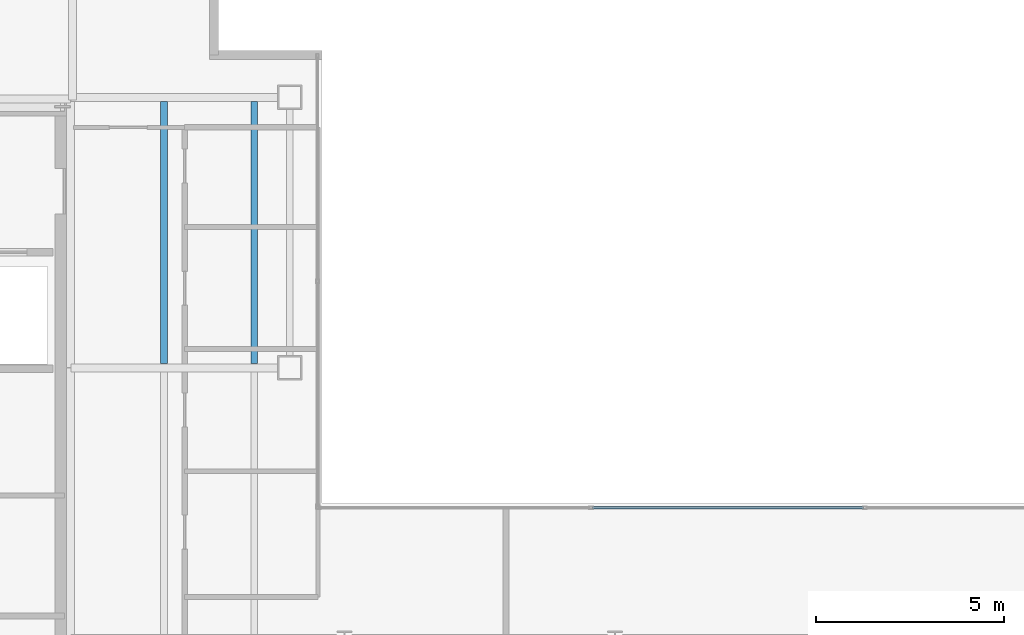
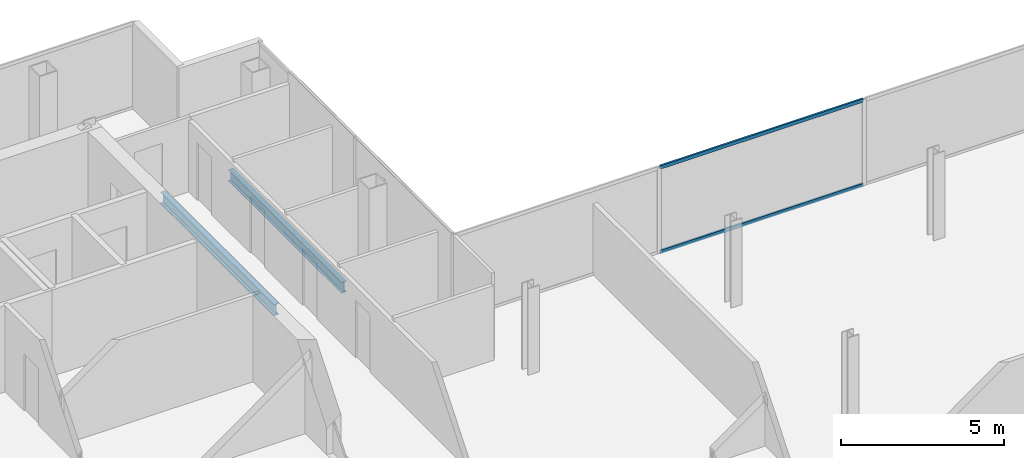
# One storey, part 10 of 24: 2 beams, 2 members, 1 element without a shape of its own.
"""IFC4 building model written with IfcOpenShell, lengths in metres."""

from ifc_helpers import new_model, si_unit, direction, frame, origin, origin_2d, place, context, subcontext, project, spatial, hollow_rectangle, i_section, extrude, material, material_profile, profile_set, type_object, element, aggregate, save


model = new_model("IFC4")

# Units and contexts
model_context = context("Model", 3, precision=1e-05, world=origin(), true_north=direction((0.0, 1.0)))
body_context = subcontext(model_context, "Body", "Model", "MODEL_VIEW")
ifc_project = project(units=[si_unit("LENGTHUNIT", "METRE"), si_unit("AREAUNIT", "SQUARE_METRE"), si_unit("VOLUMEUNIT", "CUBIC_METRE"), si_unit("PLANEANGLEUNIT", "RADIAN"), si_unit("MASSUNIT", "GRAM", prefix="KILO")], contexts=[model_context])

# Site, building, storey
site_placement = place(None, origin())
site = spatial("IfcSite", under=ifc_project, at=site_placement, CompositionType="ELEMENT")
building_placement = place(site_placement, origin())
building = spatial("IfcBuilding", under=site, at=building_placement, Name="Cobrela Telecom Tower", CompositionType="ELEMENT")
storey_placement = place(building_placement, frame((0.0, 0.0, 244.64990234375)))
storey = spatial("IfcBuildingStorey", under=building, at=storey_placement, Name="L63", CompositionType="ELEMENT", Elevation=244.64990234375)

# Beams
ifc_material_1 = material(Name="Steel ASTM A992 Grade 50", Category="steel")
ifc_material_profile_1 = material_profile(ifc_material_1, i_section(OverallWidth=0.179931640625, OverallDepth=0.4169921875, WebThickness=0.010986328125, FlangeThickness=0.01806640625, FilletRadius=0.011962890625, at=origin_2d()), Name="W16X57")
ifc_profile_set_1 = profile_set([ifc_material_profile_1], Name="Steel ASTM A992 Grade 50")
beam_type = type_object("IfcBeamType", Name="BM-JOIST-04", PredefinedType="JOIST", material=ifc_profile_set_1)
for number, where, z_axis, x_axis, name in (
    (1, (16.800048828125, 28.91162109375, -0.468505859375), (0.0, 1.0, 0.0), (-1.0, 0.0, 0.0), "L63 Secondary Composite Floor Beam J03"),
    (2, (19.199951171875, 28.91162109375, -0.468505859375), (0.0, 1.0, 0.0), (-1.0, 0.0, 0.0), "L63 Secondary Composite Floor Beam J06"),
):
    element("IfcBeam", number, at=place(storey_placement, frame(where, z_axis=z_axis, x_axis=x_axis)), inside=storey, type_object=beam_type, Name=name, PredefinedType="JOIST", context=body_context, shape_type="SweptSolid", body=[
        extrude(i_section(OverallWidth=0.179931640625, OverallDepth=0.4169921875, WebThickness=0.010986328125, FlangeThickness=0.01806640625, FilletRadius=0.011962890625, at=origin_2d()), origin(), (0.0, 0.0, 1.0), 6.976806640625),
    ])

# Curtain wall, members
ifc_material_2 = material(Name="Anodized Bronze Aluminium 6063-T6", Category="aluminium")
curtain_wall_type = type_object("IfcCurtainWallType", Name="CW-SYS-OFF-HI", PredefinedType="USERDEFINED", material=ifc_material_2)
curtain_wall_placement = place(storey_placement, origin())
curtain_wall = element("IfcCurtainWall", 3, at=curtain_wall_placement, inside=storey, type_object=curtain_wall_type, Name="L63 Unitised Bronze Curtain Wall 09", ObjectType="UNITISED CURTAIN WALL", PredefinedType="USERDEFINED")
ifc_material_profile_2 = material_profile(ifc_material_2, hollow_rectangle(XDim=0.06494140625, YDim=0.1298828125, WallThickness=0.00390625, at=origin_2d()), Name="ALU 65x130x4")
ifc_profile_set_2 = profile_set([ifc_material_profile_2], Name="Anodized Bronze Aluminium 6063-T6")
member_type = type_object("IfcMemberType", Name="CW-SYS-OFF-HI-TRN", PredefinedType="USERDEFINED", material=ifc_profile_set_2)
member_1_placement = place(storey_placement, frame((28.1982421875, 25.080078125, 0.03271484375), z_axis=(1.0, 0.0, 0.0), x_axis=(0.0, 1.0, 0.0)))
member_1 = element("IfcMember", 4, at=member_1_placement, type_object=member_type, Name="CW-OFF-HI transom 2.1", ObjectType="TRANSOM", PredefinedType="USERDEFINED", context=body_context, shape_type="SweptSolid", body=[
    extrude(hollow_rectangle(XDim=0.06494140625, YDim=0.1298828125, WallThickness=0.00390625, at=origin_2d()), origin(), (0.0, 0.0, 1.0), 7.21337890625),
])
member_2_placement = place(storey_placement, frame((28.1982421875, 25.080078125, 3.20751953125), z_axis=(1.0, 0.0, 0.0), x_axis=(0.0, 1.0, 0.0)))
member_2 = element("IfcMember", 5, at=member_2_placement, type_object=member_type, Name="CW-OFF-HI transom 2.2", ObjectType="TRANSOM", PredefinedType="USERDEFINED", context=body_context, shape_type="SweptSolid", body=[
    extrude(hollow_rectangle(XDim=0.06494140625, YDim=0.1298828125, WallThickness=0.00390625, at=origin_2d()), origin(), (0.0, 0.0, 1.0), 7.21337890625),
])
aggregate(curtain_wall, [member_1, member_2])

save(model, "model.ifc")
